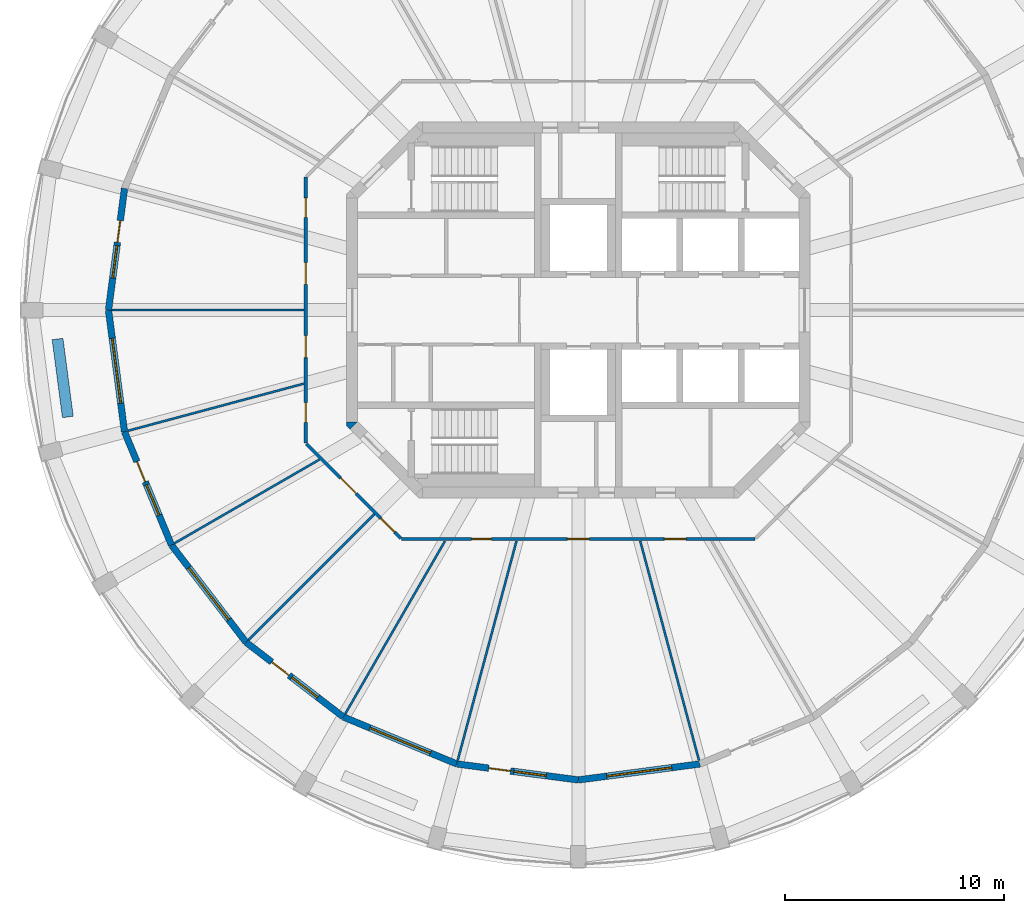
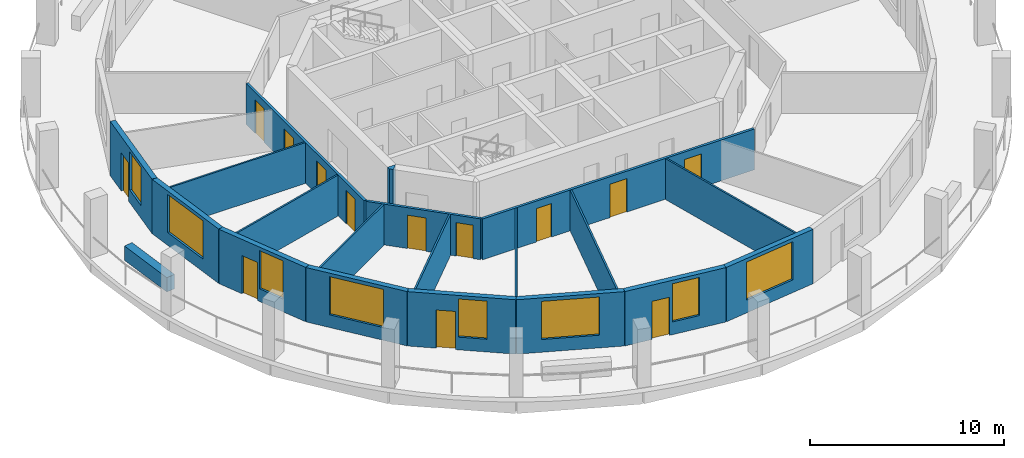
# One storey, part 2 of 8: 20 walls, 13 doors, 8 windows, 21 openings.
"""IFC4 building model written with IfcOpenShell, lengths in metres."""

from ifc_helpers import new_model, si_unit, direction, frame, frame_2d, origin, place, context, subcontext, project, spatial, polyline, rectangle, outline, extrude, material, layer, layer_set, type_object, element, fill, save


model = new_model("IFC4")

# Units and contexts
model_context = context("Model", 3, precision=1e-05, world=origin(), true_north=direction((0.0, 1.0)))
body_context = subcontext(model_context, "Body", "Model", "MODEL_VIEW")
ifc_project = project(units=[si_unit("LENGTHUNIT", "METRE"), si_unit("AREAUNIT", "SQUARE_METRE"), si_unit("VOLUMEUNIT", "CUBIC_METRE"), si_unit("PLANEANGLEUNIT", "RADIAN"), si_unit("MASSUNIT", "GRAM", prefix="KILO")], contexts=[model_context])

# Site, building, storey
site_placement = place(None, origin())
site = spatial("IfcSite", under=ifc_project, at=site_placement, CompositionType="ELEMENT")
building_placement = place(site_placement, origin())
building = spatial("IfcBuilding", under=site, at=building_placement, Name="Torre Triforio", CompositionType="ELEMENT")
storey_placement = place(building_placement, frame((0.0, 0.0, 283.39990234375)))
storey = spatial("IfcBuildingStorey", under=building, at=storey_placement, Name="L65", CompositionType="ELEMENT", Elevation=283.39990234375)

# Wall
ifc_material_1 = material(Name="Concrete C40", Category="concrete")
ifc_layer_1 = layer(ifc_material_1, 0.5)
ifc_layer_set_1 = layer_set([ifc_layer_1], Name="Concrete C40")
wall_type_1 = type_object("IfcWallType", Name="Core wall 500 mm C40 EI 120", PredefinedType="SHEAR", material=ifc_layer_set_1)
wall_1_placement = place(storey_placement, frame((0.0, 0.0, -0.27978515625)))
element("IfcWall", 1, at=wall_1_placement, inside=storey, type_object=wall_type_1, Name="Core wall", PredefinedType="SHEAR", context=body_context, shape_type="SweptSolid", body=[
    extrude(outline(polyline([(-10.60009765625, -5.30712890625), (-10.60009765625, -5.1298828125), (-10.1298828125, -5.1298828125), (-10.45361328125, -5.45361328125), (-10.60009765625, -5.30712890625)])), origin(), (0.0, 0.0, 1.0), 3.699951171875),
])

# Wall, openings, doors
ifc_material_2 = material(Name="Plasterboard on metal studs")
ifc_layer_2 = layer(ifc_material_2, 0.14990234375)
ifc_layer_set_2 = layer_set([ifc_layer_2], Name="Plasterboard on metal studs")
wall_type_2 = type_object("IfcWallType", Name="Corridor and tenancy wall 150 mm EI 60", PredefinedType="PARTITIONING", material=ifc_layer_set_2)
wall_2_placement = place(storey_placement, frame((8.083740234375, -10.47509765625, 0.0), z_axis=(0.0, 0.0, 1.0), x_axis=(-1.0, 0.0, 0.0)))
wall_2 = element("IfcWall", 2, at=wall_2_placement, inside=storey, type_object=wall_type_2, Name="Partition 2", PredefinedType="PARTITIONING", context=body_context, shape_type="SweptSolid", body=[
    extrude(rectangle(XDim=16.16748046875, YDim=0.14990234375, at=frame_2d((8.083740234375, 0.0))), origin(), (0.0, 0.0, 1.0), 2.570068359375),
])
opening_1_placement = place(wall_2_placement, frame((12.06494140625, 0.0, 0.0)))
opening_1 = element("IfcOpeningElement", 3, at=opening_1_placement, cuts=wall_2, Name="Opening X1-15", PredefinedType="OPENING", context=body_context, shape_type="SweptSolid", body=[
    extrude(rectangle(XDim=0.89990234375, YDim=2.10009765625, at=frame_2d((0.449951171875, 1.050048828125))), frame((0.0, 0.0849609375, 0.0), z_axis=(0.0, -1.0, 0.0), x_axis=(1.0, 0.0, 0.0)), (0.0, 0.0, 1.0), 0.169921875),
])
opening_2_placement = place(wall_2_placement, frame((7.583740234375, 0.0, 0.0)))
opening_2 = element("IfcOpeningElement", 4, at=opening_2_placement, cuts=wall_2, Name="Opening X1-16", PredefinedType="OPENING", context=body_context, shape_type="SweptSolid", body=[
    extrude(rectangle(XDim=1.0, YDim=2.10009765625, at=frame_2d((0.5, 1.050048828125))), frame((0.0, 0.0849609375, 0.0), z_axis=(0.0, -1.0, 0.0), x_axis=(1.0, 0.0, 0.0)), (0.0, 0.0, 1.0), 0.169921875),
])
opening_3_placement = place(wall_2_placement, frame((3.152587890625, 0.0, 0.0)))
opening_3 = element("IfcOpeningElement", 5, at=opening_3_placement, cuts=wall_2, Name="Opening X1-17", PredefinedType="OPENING", context=body_context, shape_type="SweptSolid", body=[
    extrude(rectangle(XDim=1.0, YDim=2.10009765625, at=frame_2d((0.5, 1.050048828125))), frame((0.0, 0.0849609375, 0.0), z_axis=(0.0, -1.0, 0.0), x_axis=(1.0, 0.0, 0.0)), (0.0, 0.0, 1.0), 0.169921875),
])
ifc_material_3 = material(Name="Timber", Category="wood")
door_type_1 = type_object("IfcDoorType", Name="Door 1000 x 2100 single leaf EI 30", OperationType="NOTDEFINED", PredefinedType="DOOR", material=ifc_material_3)
door_1_placement = place(opening_2_placement, origin())
door_1 = element("IfcDoor", 6, at=door_1_placement, inside=storey, type_object=door_type_1, Name="Door X1-16", OperationType="SINGLE_SWING_LEFT", OverallHeight=2.10009765625, OverallWidth=1.0, PredefinedType="DOOR", context=body_context, shape_type="SweptSolid", body=[
    extrude(rectangle(XDim=1.0, YDim=2.10009765625, at=frame_2d((0.5, 1.050048828125))), frame((0.0, 0.02490234375, 0.0), z_axis=(0.0, -1.0, 0.0), x_axis=(1.0, 0.0, 0.0)), (0.0, 0.0, 1.0), 0.050048828125),
])
fill(opening_2, door_1)
door_2_placement = place(opening_3_placement, origin())
door_2 = element("IfcDoor", 7, at=door_2_placement, inside=storey, type_object=door_type_1, Name="Door X1-17", OperationType="SINGLE_SWING_LEFT", OverallHeight=2.10009765625, OverallWidth=1.0, PredefinedType="DOOR", context=body_context, shape_type="SweptSolid", body=[
    extrude(rectangle(XDim=1.0, YDim=2.10009765625, at=frame_2d((0.5, 1.050048828125))), frame((0.0, 0.02490234375, 0.0), z_axis=(0.0, -1.0, 0.0), x_axis=(1.0, 0.0, 0.0)), (0.0, 0.0, 1.0), 0.050048828125),
])
fill(opening_3, door_2)
door_type_2 = type_object("IfcDoorType", Name="Door 900 x 2100 single leaf EI 30", OperationType="NOTDEFINED", PredefinedType="DOOR", material=ifc_material_3)
door_3_placement = place(opening_1_placement, origin())
door_3 = element("IfcDoor", 8, at=door_3_placement, inside=storey, type_object=door_type_2, Name="Door X1-15", OperationType="SINGLE_SWING_RIGHT", OverallHeight=2.10009765625, OverallWidth=0.89990234375, PredefinedType="DOOR", context=body_context, shape_type="SweptSolid", body=[
    extrude(rectangle(XDim=0.89990234375, YDim=2.10009765625, at=frame_2d((0.449951171875, 1.050048828125))), frame((0.0, 0.02490234375, 0.0), z_axis=(0.0, -1.0, 0.0), x_axis=(1.0, 0.0, 0.0)), (0.0, 0.0, 1.0), 0.050048828125),
])
fill(opening_1, door_3)

wall_3_placement = place(storey_placement, frame((-8.120849609375, -10.43798828125, 0.0), z_axis=(0.0, 0.0, 1.0), x_axis=(-0.707106781187, 0.707106781187, 0.0)))
wall_3 = element("IfcWall", 9, at=wall_3_placement, inside=storey, type_object=wall_type_2, Name="Partition 3", PredefinedType="PARTITIONING", context=body_context, shape_type="SweptSolid", body=[
    extrude(rectangle(XDim=6.10546875, YDim=0.14990234375, at=frame_2d((3.052734375, 0.0))), origin(), (0.0, 0.0, 1.0), 2.570068359375),
])
opening_4_placement = place(wall_3_placement, frame((2.8974609375, 0.0, 0.0)))
opening_4 = element("IfcOpeningElement", 10, at=opening_4_placement, cuts=wall_3, Name="Opening X1-13", PredefinedType="OPENING", context=body_context, shape_type="SweptSolid", body=[
    extrude(rectangle(XDim=1.0, YDim=2.10009765625, at=frame_2d((0.5, 1.050048828125))), frame((0.0, 0.0849609375, 0.0), z_axis=(0.0, -1.0, 0.0), x_axis=(1.0, 0.0, 0.0)), (0.0, 0.0, 1.0), 0.169921875),
])
opening_5_placement = place(wall_3_placement, frame((0.394287109375, 0.0, 0.0)))
opening_5 = element("IfcOpeningElement", 11, at=opening_5_placement, cuts=wall_3, Name="Opening X1-14", PredefinedType="OPENING", context=body_context, shape_type="SweptSolid", body=[
    extrude(rectangle(XDim=0.89990234375, YDim=2.10009765625, at=frame_2d((0.449951171875, 1.050048828125))), frame((0.0, 0.0849609375, 0.0), z_axis=(0.0, -1.0, 0.0), x_axis=(1.0, 0.0, 0.0)), (0.0, 0.0, 1.0), 0.169921875),
])
door_4_placement = place(opening_4_placement, origin())
door_4 = element("IfcDoor", 12, at=door_4_placement, inside=storey, type_object=door_type_1, Name="Door X1-13", OperationType="SINGLE_SWING_LEFT", OverallHeight=2.10009765625, OverallWidth=1.0, PredefinedType="DOOR", context=body_context, shape_type="SweptSolid", body=[
    extrude(rectangle(XDim=1.0, YDim=2.10009765625, at=frame_2d((0.5, 1.050048828125))), frame((0.0, 0.02490234375, 0.0), z_axis=(0.0, -1.0, 0.0), x_axis=(1.0, 0.0, 0.0)), (0.0, 0.0, 1.0), 0.050048828125),
])
fill(opening_4, door_4)
door_5_placement = place(opening_5_placement, origin())
door_5 = element("IfcDoor", 13, at=door_5_placement, inside=storey, type_object=door_type_2, Name="Door X1-14", OperationType="SINGLE_SWING_LEFT", OverallHeight=2.10009765625, OverallWidth=0.89990234375, PredefinedType="DOOR", context=body_context, shape_type="SweptSolid", body=[
    extrude(rectangle(XDim=0.89990234375, YDim=2.10009765625, at=frame_2d((0.449951171875, 1.050048828125))), frame((0.0, 0.02490234375, 0.0), z_axis=(0.0, -1.0, 0.0), x_axis=(1.0, 0.0, 0.0)), (0.0, 0.0, 1.0), 0.050048828125),
])
fill(opening_5, door_5)

wall_4_placement = place(storey_placement, frame((-12.47509765625, -6.083740234375, 0.0), z_axis=(0.0, 0.0, 1.0), x_axis=(0.0, 1.0, 0.0)))
wall_4 = element("IfcWall", 14, at=wall_4_placement, inside=storey, type_object=wall_type_2, Name="Partition 4", PredefinedType="PARTITIONING", context=body_context, shape_type="SweptSolid", body=[
    extrude(rectangle(XDim=12.16748046875, YDim=0.14990234375, at=frame_2d((6.083740234375, 0.0))), origin(), (0.0, 0.0, 1.0), 2.570068359375),
])
opening_6_placement = place(wall_4_placement, frame((10.322021484375, 0.0, 0.0)))
opening_6 = element("IfcOpeningElement", 15, at=opening_6_placement, cuts=wall_4, Name="Opening X1-09", PredefinedType="OPENING", context=body_context, shape_type="SweptSolid", body=[
    extrude(rectangle(XDim=0.89990234375, YDim=2.10009765625, at=frame_2d((0.449951171875, 1.050048828125))), frame((0.0, 0.0849609375, 0.0), z_axis=(0.0, -1.0, 0.0), x_axis=(1.0, 0.0, 0.0)), (0.0, 0.0, 1.0), 0.169921875),
])
opening_7_placement = place(wall_4_placement, frame((7.256103515625, 0.0, 0.0)))
opening_7 = element("IfcOpeningElement", 16, at=opening_7_placement, cuts=wall_4, Name="Opening X1-10", PredefinedType="OPENING", context=body_context, shape_type="SweptSolid", body=[
    extrude(rectangle(XDim=1.0, YDim=2.10009765625, at=frame_2d((0.5, 1.050048828125))), frame((0.0, 0.0849609375, 0.0), z_axis=(0.0, -1.0, 0.0), x_axis=(1.0, 0.0, 0.0)), (0.0, 0.0, 1.0), 0.169921875),
])
opening_8_placement = place(wall_4_placement, frame((3.91162109375, 0.0, 0.0)))
opening_8 = element("IfcOpeningElement", 17, at=opening_8_placement, cuts=wall_4, Name="Opening X1-11", PredefinedType="OPENING", context=body_context, shape_type="SweptSolid", body=[
    extrude(rectangle(XDim=1.0, YDim=2.10009765625, at=frame_2d((0.5, 1.050048828125))), frame((0.0, 0.0849609375, 0.0), z_axis=(0.0, -1.0, 0.0), x_axis=(1.0, 0.0, 0.0)), (0.0, 0.0, 1.0), 0.169921875),
])
opening_9_placement = place(wall_4_placement, frame((0.945556640625, 0.0, 0.0)))
opening_9 = element("IfcOpeningElement", 18, at=opening_9_placement, cuts=wall_4, Name="Opening X1-12", PredefinedType="OPENING", context=body_context, shape_type="SweptSolid", body=[
    extrude(rectangle(XDim=0.89990234375, YDim=2.10009765625, at=frame_2d((0.449951171875, 1.050048828125))), frame((0.0, 0.0849609375, 0.0), z_axis=(0.0, -1.0, 0.0), x_axis=(1.0, 0.0, 0.0)), (0.0, 0.0, 1.0), 0.169921875),
])
door_6_placement = place(opening_7_placement, origin())
door_6 = element("IfcDoor", 19, at=door_6_placement, inside=storey, type_object=door_type_1, Name="Door X1-10", OperationType="SINGLE_SWING_RIGHT", OverallHeight=2.10009765625, OverallWidth=1.0, PredefinedType="DOOR", context=body_context, shape_type="SweptSolid", body=[
    extrude(rectangle(XDim=1.0, YDim=2.10009765625, at=frame_2d((0.5, 1.050048828125))), frame((0.0, 0.02490234375, 0.0), z_axis=(0.0, -1.0, 0.0), x_axis=(1.0, 0.0, 0.0)), (0.0, 0.0, 1.0), 0.050048828125),
])
fill(opening_7, door_6)
door_7_placement = place(opening_8_placement, origin())
door_7 = element("IfcDoor", 20, at=door_7_placement, inside=storey, type_object=door_type_1, Name="Door X1-11", OperationType="SINGLE_SWING_LEFT", OverallHeight=2.10009765625, OverallWidth=1.0, PredefinedType="DOOR", context=body_context, shape_type="SweptSolid", body=[
    extrude(rectangle(XDim=1.0, YDim=2.10009765625, at=frame_2d((0.5, 1.050048828125))), frame((0.0, 0.02490234375, 0.0), z_axis=(0.0, -1.0, 0.0), x_axis=(1.0, 0.0, 0.0)), (0.0, 0.0, 1.0), 0.050048828125),
])
fill(opening_8, door_7)
door_8_placement = place(opening_6_placement, origin())
door_8 = element("IfcDoor", 21, at=door_8_placement, inside=storey, type_object=door_type_2, Name="Door X1-09", OperationType="SINGLE_SWING_LEFT", OverallHeight=2.10009765625, OverallWidth=0.89990234375, PredefinedType="DOOR", context=body_context, shape_type="SweptSolid", body=[
    extrude(rectangle(XDim=0.89990234375, YDim=2.10009765625, at=frame_2d((0.449951171875, 1.050048828125))), frame((0.0, 0.02490234375, 0.0), z_axis=(0.0, -1.0, 0.0), x_axis=(1.0, 0.0, 0.0)), (0.0, 0.0, 1.0), 0.050048828125),
])
fill(opening_6, door_8)
door_9_placement = place(opening_9_placement, origin())
door_9 = element("IfcDoor", 22, at=door_9_placement, inside=storey, type_object=door_type_2, Name="Door X1-12", OperationType="SINGLE_SWING_LEFT", OverallHeight=2.10009765625, OverallWidth=0.89990234375, PredefinedType="DOOR", context=body_context, shape_type="SweptSolid", body=[
    extrude(rectangle(XDim=0.89990234375, YDim=2.10009765625, at=frame_2d((0.449951171875, 1.050048828125))), frame((0.0, 0.02490234375, 0.0), z_axis=(0.0, -1.0, 0.0), x_axis=(1.0, 0.0, 0.0)), (0.0, 0.0, 1.0), 0.050048828125),
])
fill(opening_9, door_9)

# Walls
ifc_layer_3 = layer(ifc_material_2, 0.10009765625)
ifc_layer_set_3 = layer_set([ifc_layer_3], Name="Plasterboard on metal studs")
wall_type_3 = type_object("IfcWallType", Name="Partition 100 mm board on metal studs", PredefinedType="PARTITIONING", material=ifc_layer_set_3)
wall_5_placement = place(storey_placement, frame((-12.550048828125, 0.0, 0.0), z_axis=(0.0, 0.0, 1.0), x_axis=(-1.0, 0.0, 0.0)))
element("IfcWall", 23, at=wall_5_placement, inside=storey, type_object=wall_type_3, Name="Partition 17", PredefinedType="PARTITIONING", context=body_context, shape_type="SweptSolid", body=[
    extrude(rectangle(XDim=8.78662109375, YDim=0.10009765625, at=frame_2d((4.393310546875, 0.0))), origin(), (0.0, 0.0, 1.0), 2.570068359375),
])
wall_6_placement = place(storey_placement, frame((-12.564208984375, -3.36669921875, 0.0), z_axis=(0.0, 0.0, 1.0), x_axis=(-0.965933136847, -0.258791760188, 0.0)))
element("IfcWall", 24, at=wall_6_placement, inside=storey, type_object=wall_type_3, Name="Partition 18", PredefinedType="PARTITIONING", context=body_context, shape_type="SweptSolid", body=[
    extrude(rectangle(XDim=8.3291015625, YDim=0.10009765625, at=frame_2d((4.16455078125, 0.0))), origin(), (0.0, 0.0, 1.0), 2.570068359375),
])
wall_7_placement = place(storey_placement, frame((-11.845947265625, -6.839111328125, 0.0), z_axis=(0.0, 0.0, 1.0), x_axis=(-0.866007734672, -0.500030602552, 0.0)))
element("IfcWall", 25, at=wall_7_placement, inside=storey, type_object=wall_type_3, Name="Partition 19", PredefinedType="PARTITIONING", context=body_context, shape_type="SweptSolid", body=[
    extrude(rectangle(XDim=7.658203125, YDim=0.10009765625, at=frame_2d((3.8291015625, 0.0))), origin(), (0.0, 0.0, 1.0), 2.570068359375),
])
wall_8_placement = place(storey_placement, frame((-9.33251953125, -9.33251953125, 0.0), z_axis=(0.0, 0.0, 1.0), x_axis=(-0.707106781187, -0.707106781187, 0.0)))
element("IfcWall", 26, at=wall_8_placement, inside=storey, type_object=wall_type_3, Name="Partition 20", PredefinedType="PARTITIONING", context=body_context, shape_type="SweptSolid", body=[
    extrude(rectangle(XDim=8.138671875, YDim=0.10009765625, at=frame_2d((4.0693359375, 0.0))), origin(), (0.0, 0.0, 1.0), 2.570068359375),
])
wall_9_placement = place(storey_placement, frame((-6.105224609375, -10.57470703125, 0.0), z_axis=(0.0, 0.0, 1.0), x_axis=(-0.500020406621, -0.866013621696, 0.0)))
element("IfcWall", 27, at=wall_9_placement, inside=storey, type_object=wall_type_3, Name="Partition 21", PredefinedType="PARTITIONING", context=body_context, shape_type="SweptSolid", body=[
    extrude(rectangle(XDim=9.1259765625, YDim=0.10009765625, at=frame_2d((4.56298828125, 0.0))), origin(), (0.0, 0.0, 1.0), 2.570068359375),
])
for number, where, z_axis, x_axis, name in (
    (28, (-2.830810546875, -10.564208984375, 0.0), (0.0, 0.0, 1.0), (-0.258796321138, -0.965931914871, 0.0), "Partition 22"),
    (29, (2.830810546875, -10.564208984375, 0.0), (0.0, 0.0, 1.0), (0.258796321138, -0.965931914871, 0.0), "Partition 23"),
):
    element("IfcWall", number, at=place(storey_placement, frame(where, z_axis=z_axis, x_axis=x_axis)), inside=storey, type_object=wall_type_3, Name=name, PredefinedType="PARTITIONING", context=body_context, shape_type="SweptSolid", body=[
        extrude(rectangle(XDim=10.399658203125, YDim=0.10009765625, at=frame_2d((5.19970703125, 0.0))), origin(), (0.0, 0.0, 1.0), 2.570068359375),
    ])
ifc_material_4 = material(Name="Limestone cladding", Category="masonry")
ifc_layer_4 = layer(ifc_material_4, 0.10009765625)
ifc_layer_5 = layer(ifc_material_1, 0.39990234375)
ifc_layer_set_4 = layer_set([ifc_layer_4, ifc_layer_5], Name="Limestone cladding / Concrete C40")
wall_type_4 = type_object("IfcWallType", Name="Planter wall 500", PredefinedType="PARAPET", material=ifc_layer_set_4)
wall_10_placement = place(storey_placement, frame((-23.831298828125, -1.322021484375, 0.0), z_axis=(0.0, 0.0, 1.0), x_axis=(0.130551000099, -0.991441595039, 0.0)))
element("IfcWall", 30, at=wall_10_placement, inside=storey, type_object=wall_type_4, Name="Planter L65 bay 13", PredefinedType="PARAPET", context=body_context, shape_type="SweptSolid", body=[
    extrude(rectangle(XDim=3.599853515625, YDim=0.5, at=frame_2d((1.7998046875, 0.0))), origin(), (0.0, 0.0, 1.0), 0.900146484375),
])

# Wall, openings, door, window
ifc_layer_6 = layer(ifc_material_4, 0.10009765625)
ifc_layer_7 = layer(ifc_material_1, 0.199951171875)
ifc_layer_set_5 = layer_set([ifc_layer_6, ifc_layer_7], Name="Limestone cladding / Concrete C40")
wall_type_5 = type_object("IfcWallType", Name="Stone-faced composite wall 300", PredefinedType="STANDARD", material=ifc_layer_set_5)
wall_11_placement = place(storey_placement, frame((-20.767333984375, 5.564697265625, 0.0), z_axis=(0.0, 0.0, 1.0), x_axis=(-0.130536651449, -0.991443484334, 0.0)))
wall_11 = element("IfcWall", 31, at=wall_11_placement, inside=storey, type_object=wall_type_5, Name="External wall L65 bay 12", PredefinedType="STANDARD", context=body_context, shape_type="SweptSolid", body=[
    extrude(rectangle(XDim=5.61279296875, YDim=0.300048828125, at=frame_2d((2.806396484375, 0.0))), origin(), (0.0, 0.0, 1.0), 3.420166015625),
])
opening_10_placement = place(wall_11_placement, frame((1.481201171875, 0.0, 0.0)))
opening_10 = element("IfcOpeningElement", 32, at=opening_10_placement, cuts=wall_11, Name="Opening X1-D12", PredefinedType="OPENING", context=body_context, shape_type="SweptSolid", body=[
    extrude(rectangle(XDim=1.0, YDim=2.39990234375, at=frame_2d((0.5, 1.199951171875))), frame((0.0, 0.159912109375, 0.0), z_axis=(0.0, -1.0, 0.0), x_axis=(1.0, 0.0, 0.0)), (0.0, 0.0, 1.0), 0.320068359375),
])
opening_11_placement = place(wall_11_placement, frame((2.63134765625, 0.0, 0.800048828125)))
opening_11 = element("IfcOpeningElement", 33, at=opening_11_placement, cuts=wall_11, Name="Opening X1-W12A", PredefinedType="OPENING", context=body_context, shape_type="SweptSolid", body=[
    extrude(rectangle(XDim=1.5, YDim=2.39990234375, at=frame_2d((0.75, 1.199951171875))), frame((0.0, 0.159912109375, 0.0), z_axis=(0.0, -1.0, 0.0), x_axis=(1.0, 0.0, 0.0)), (0.0, 0.0, 1.0), 0.320068359375),
])
ifc_material_5 = material(Name="Aluminium frame with clear double glazing", Category="aluminium")
door_type_3 = type_object("IfcDoorType", Name="Loggia door 1000 x 2400", OperationType="NOTDEFINED", PredefinedType="DOOR", material=ifc_material_5)
door_10_placement = place(opening_10_placement, origin())
door_10 = element("IfcDoor", 34, at=door_10_placement, inside=storey, type_object=door_type_3, Name="Loggia door L65 bay 12", OperationType="SINGLE_SWING_LEFT", OverallHeight=2.39990234375, OverallWidth=1.0, PredefinedType="DOOR", context=body_context, shape_type="SweptSolid", body=[
    extrude(rectangle(XDim=1.0, YDim=2.39990234375, at=frame_2d((0.5, 1.199951171875))), frame((0.0, 0.02490234375, 0.0), z_axis=(0.0, -1.0, 0.0), x_axis=(1.0, 0.0, 0.0)), (0.0, 0.0, 1.0), 0.050048828125),
])
fill(opening_10, door_10)
window_type_1 = type_object("IfcWindowType", Name="Side window 1500 x 2400", PartitioningType="SINGLE_PANEL", PredefinedType="WINDOW", material=ifc_material_5)
window_1_placement = place(opening_11_placement, origin())
window_1 = element("IfcWindow", 35, at=window_1_placement, inside=storey, type_object=window_type_1, Name="Side window EWN14 L65 bay 12", OverallHeight=2.39990234375, OverallWidth=1.5, PartitioningType="SINGLE_PANEL", PredefinedType="WINDOW", context=body_context, shape_type="SweptSolid", body=[
    extrude(rectangle(XDim=1.5, YDim=2.39990234375, at=frame_2d((0.75, 1.199951171875))), frame((0.0, 0.030029296875, 0.0), z_axis=(0.0, -1.0, 0.0), x_axis=(1.0, 0.0, 0.0)), (0.0, 0.0, 1.0), 0.06005859375),
])
fill(opening_11, window_1)

# Wall, opening, window
wall_12_placement = place(storey_placement, frame((-21.5, 0.0, 0.0), z_axis=(0.0, 0.0, 1.0), x_axis=(0.130536651449, -0.991443484334, 0.0)))
wall_12 = element("IfcWall", 36, at=wall_12_placement, inside=storey, type_object=wall_type_5, Name="External wall L65 bay 13", PredefinedType="STANDARD", context=body_context, shape_type="SweptSolid", body=[
    extrude(rectangle(XDim=5.61279296875, YDim=0.300048828125, at=frame_2d((2.806396484375, 0.0))), origin(), (0.0, 0.0, 1.0), 3.420166015625),
])
opening_12_placement = place(wall_12_placement, frame((1.306396484375, 0.0, 0.800048828125)))
opening_12 = element("IfcOpeningElement", 37, at=opening_12_placement, cuts=wall_12, Name="Opening X1-W13", PredefinedType="OPENING", context=body_context, shape_type="SweptSolid", body=[
    extrude(rectangle(XDim=3.0, YDim=2.39990234375, at=frame_2d((1.5, 1.199951171875))), frame((0.0, 0.159912109375, 0.0), z_axis=(0.0, -1.0, 0.0), x_axis=(1.0, 0.0, 0.0)), (0.0, 0.0, 1.0), 0.320068359375),
])
window_type_2 = type_object("IfcWindowType", Name="Punched window 3000 x 2400", PartitioningType="DOUBLE_PANEL_VERTICAL", PredefinedType="WINDOW", material=ifc_material_5)
window_2_placement = place(opening_12_placement, origin())
window_2 = element("IfcWindow", 38, at=window_2_placement, inside=storey, type_object=window_type_2, Name="Window EWN6 L65 bay 13", OverallHeight=2.39990234375, OverallWidth=3.0, PartitioningType="SINGLE_PANEL", PredefinedType="WINDOW", context=body_context, shape_type="SweptSolid", body=[
    extrude(rectangle(XDim=3.0, YDim=2.39990234375, at=frame_2d((1.5, 1.199951171875))), frame((0.0, 0.030029296875, 0.0), z_axis=(0.0, -1.0, 0.0), x_axis=(1.0, 0.0, 0.0)), (0.0, 0.0, 1.0), 0.06005859375),
])
fill(opening_12, window_2)

# Wall, openings, door, window
wall_13_placement = place(storey_placement, frame((-20.767333984375, -5.564697265625, 0.0), z_axis=(0.0, 0.0, 1.0), x_axis=(0.382702670405, -0.92387156362, 0.0)))
wall_13 = element("IfcWall", 39, at=wall_13_placement, inside=storey, type_object=wall_type_5, Name="External wall L65 bay 14", PredefinedType="STANDARD", context=body_context, shape_type="SweptSolid", body=[
    extrude(rectangle(XDim=5.612548828125, YDim=0.300048828125, at=frame_2d((2.80615234375, 0.0))), origin(), (0.0, 0.0, 1.0), 3.420166015625),
])
opening_13_placement = place(wall_13_placement, frame((1.481201171875, 0.0, 0.0)))
opening_13 = element("IfcOpeningElement", 40, at=opening_13_placement, cuts=wall_13, Name="Opening X1-D14", PredefinedType="OPENING", context=body_context, shape_type="SweptSolid", body=[
    extrude(rectangle(XDim=1.0, YDim=2.39990234375, at=frame_2d((0.5, 1.199951171875))), frame((0.0, 0.159912109375, 0.0), z_axis=(0.0, -1.0, 0.0), x_axis=(1.0, 0.0, 0.0)), (0.0, 0.0, 1.0), 0.320068359375),
])
opening_14_placement = place(wall_13_placement, frame((2.63134765625, 0.0, 0.800048828125)))
opening_14 = element("IfcOpeningElement", 41, at=opening_14_placement, cuts=wall_13, Name="Opening X1-W14A", PredefinedType="OPENING", context=body_context, shape_type="SweptSolid", body=[
    extrude(rectangle(XDim=1.5, YDim=2.39990234375, at=frame_2d((0.75, 1.199951171875))), frame((0.0, 0.159912109375, 0.0), z_axis=(0.0, -1.0, 0.0), x_axis=(1.0, 0.0, 0.0)), (0.0, 0.0, 1.0), 0.320068359375),
])
door_11_placement = place(opening_13_placement, origin())
door_11 = element("IfcDoor", 42, at=door_11_placement, inside=storey, type_object=door_type_3, Name="Loggia door L65 bay 14", OperationType="SINGLE_SWING_LEFT", OverallHeight=2.39990234375, OverallWidth=1.0, PredefinedType="DOOR", context=body_context, shape_type="SweptSolid", body=[
    extrude(rectangle(XDim=1.0, YDim=2.39990234375, at=frame_2d((0.5, 1.199951171875))), frame((0.0, 0.02490234375, 0.0), z_axis=(0.0, -1.0, 0.0), x_axis=(1.0, 0.0, 0.0)), (0.0, 0.0, 1.0), 0.050048828125),
])
fill(opening_13, door_11)
window_3_placement = place(opening_14_placement, origin())
window_3 = element("IfcWindow", 43, at=window_3_placement, inside=storey, type_object=window_type_1, Name="Side window EWN14 L65 bay 14", OverallHeight=2.39990234375, OverallWidth=1.5, PartitioningType="SINGLE_PANEL", PredefinedType="WINDOW", context=body_context, shape_type="SweptSolid", body=[
    extrude(rectangle(XDim=1.5, YDim=2.39990234375, at=frame_2d((0.75, 1.199951171875))), frame((0.0, 0.030029296875, 0.0), z_axis=(0.0, -1.0, 0.0), x_axis=(1.0, 0.0, 0.0)), (0.0, 0.0, 1.0), 0.06005859375),
])
fill(opening_14, window_3)

# Wall, opening, window
wall_14_placement = place(storey_placement, frame((-18.619384765625, -10.75, 0.0), z_axis=(0.0, 0.0, 1.0), x_axis=(0.608726467567, -0.793380165925, 0.0)))
wall_14 = element("IfcWall", 44, at=wall_14_placement, inside=storey, type_object=wall_type_5, Name="External wall L65 bay 15", PredefinedType="STANDARD", context=body_context, shape_type="SweptSolid", body=[
    extrude(rectangle(XDim=5.612548828125, YDim=0.300048828125, at=frame_2d((2.80615234375, 0.0))), origin(), (0.0, 0.0, 1.0), 3.420166015625),
])
opening_15_placement = place(wall_14_placement, frame((1.306396484375, 0.0, 0.800048828125)))
opening_15 = element("IfcOpeningElement", 45, at=opening_15_placement, cuts=wall_14, Name="Opening X1-W15", PredefinedType="OPENING", context=body_context, shape_type="SweptSolid", body=[
    extrude(rectangle(XDim=3.0, YDim=2.39990234375, at=frame_2d((1.5, 1.199951171875))), frame((0.0, 0.159912109375, 0.0), z_axis=(0.0, -1.0, 0.0), x_axis=(1.0, 0.0, 0.0)), (0.0, 0.0, 1.0), 0.320068359375),
])
window_4_placement = place(opening_15_placement, origin())
window_4 = element("IfcWindow", 46, at=window_4_placement, inside=storey, type_object=window_type_2, Name="Window EWN6 L65 bay 15", OverallHeight=2.39990234375, OverallWidth=3.0, PartitioningType="SINGLE_PANEL", PredefinedType="WINDOW", context=body_context, shape_type="SweptSolid", body=[
    extrude(rectangle(XDim=3.0, YDim=2.39990234375, at=frame_2d((1.5, 1.199951171875))), frame((0.0, 0.030029296875, 0.0), z_axis=(0.0, -1.0, 0.0), x_axis=(1.0, 0.0, 0.0)), (0.0, 0.0, 1.0), 0.06005859375),
])
fill(opening_15, window_4)

# Wall, openings, door, window
wall_15_placement = place(storey_placement, frame((-15.202880859375, -15.202880859375, 0.0), z_axis=(0.0, 0.0, 1.0), x_axis=(0.793380165925, -0.608726467567, 0.0)))
wall_15 = element("IfcWall", 47, at=wall_15_placement, inside=storey, type_object=wall_type_5, Name="External wall L65 bay 16", PredefinedType="STANDARD", context=body_context, shape_type="SweptSolid", body=[
    extrude(rectangle(XDim=5.612548828125, YDim=0.300048828125, at=frame_2d((2.80615234375, 0.0))), origin(), (0.0, 0.0, 1.0), 3.420166015625),
])
opening_16_placement = place(wall_15_placement, frame((1.481201171875, 0.0, 0.0)))
opening_16 = element("IfcOpeningElement", 48, at=opening_16_placement, cuts=wall_15, Name="Opening X1-D16", PredefinedType="OPENING", context=body_context, shape_type="SweptSolid", body=[
    extrude(rectangle(XDim=1.0, YDim=2.39990234375, at=frame_2d((0.5, 1.199951171875))), frame((0.0, 0.159912109375, 0.0), z_axis=(0.0, -1.0, 0.0), x_axis=(1.0, 0.0, 0.0)), (0.0, 0.0, 1.0), 0.320068359375),
])
opening_17_placement = place(wall_15_placement, frame((2.63134765625, 0.0, 0.800048828125)))
opening_17 = element("IfcOpeningElement", 49, at=opening_17_placement, cuts=wall_15, Name="Opening X1-W16A", PredefinedType="OPENING", context=body_context, shape_type="SweptSolid", body=[
    extrude(rectangle(XDim=1.5, YDim=2.39990234375, at=frame_2d((0.75, 1.199951171875))), frame((0.0, 0.159912109375, 0.0), z_axis=(0.0, -1.0, 0.0), x_axis=(1.0, 0.0, 0.0)), (0.0, 0.0, 1.0), 0.320068359375),
])
door_12_placement = place(opening_16_placement, origin())
door_12 = element("IfcDoor", 50, at=door_12_placement, inside=storey, type_object=door_type_3, Name="Loggia door L65 bay 16", OperationType="SINGLE_SWING_LEFT", OverallHeight=2.39990234375, OverallWidth=1.0, PredefinedType="DOOR", context=body_context, shape_type="SweptSolid", body=[
    extrude(rectangle(XDim=1.0, YDim=2.39990234375, at=frame_2d((0.5, 1.199951171875))), frame((0.0, 0.02490234375, 0.0), z_axis=(0.0, -1.0, 0.0), x_axis=(1.0, 0.0, 0.0)), (0.0, 0.0, 1.0), 0.050048828125),
])
fill(opening_16, door_12)
window_5_placement = place(opening_17_placement, origin())
window_5 = element("IfcWindow", 51, at=window_5_placement, inside=storey, type_object=window_type_1, Name="Side window EWN14 L65 bay 16", OverallHeight=2.39990234375, OverallWidth=1.5, PartitioningType="SINGLE_PANEL", PredefinedType="WINDOW", context=body_context, shape_type="SweptSolid", body=[
    extrude(rectangle(XDim=1.5, YDim=2.39990234375, at=frame_2d((0.75, 1.199951171875))), frame((0.0, 0.030029296875, 0.0), z_axis=(0.0, -1.0, 0.0), x_axis=(1.0, 0.0, 0.0)), (0.0, 0.0, 1.0), 0.06005859375),
])
fill(opening_17, window_5)

# Wall, opening, window
wall_16_placement = place(storey_placement, frame((-10.75, -18.619384765625, 0.0), z_axis=(0.0, 0.0, 1.0), x_axis=(0.92387156362, -0.382702670405, 0.0)))
wall_16 = element("IfcWall", 52, at=wall_16_placement, inside=storey, type_object=wall_type_5, Name="External wall L65 bay 17", PredefinedType="STANDARD", context=body_context, shape_type="SweptSolid", body=[
    extrude(rectangle(XDim=5.612548828125, YDim=0.300048828125, at=frame_2d((2.80615234375, 0.0))), origin(), (0.0, 0.0, 1.0), 3.420166015625),
])
opening_18_placement = place(wall_16_placement, frame((1.306396484375, 0.0, 0.800048828125)))
opening_18 = element("IfcOpeningElement", 53, at=opening_18_placement, cuts=wall_16, Name="Opening X1-W17", PredefinedType="OPENING", context=body_context, shape_type="SweptSolid", body=[
    extrude(rectangle(XDim=3.0, YDim=2.39990234375, at=frame_2d((1.5, 1.199951171875))), frame((0.0, 0.159912109375, 0.0), z_axis=(0.0, -1.0, 0.0), x_axis=(1.0, 0.0, 0.0)), (0.0, 0.0, 1.0), 0.320068359375),
])
window_6_placement = place(opening_18_placement, origin())
window_6 = element("IfcWindow", 54, at=window_6_placement, inside=storey, type_object=window_type_2, Name="Window EWN6 L65 bay 17", OverallHeight=2.39990234375, OverallWidth=3.0, PartitioningType="SINGLE_PANEL", PredefinedType="WINDOW", context=body_context, shape_type="SweptSolid", body=[
    extrude(rectangle(XDim=3.0, YDim=2.39990234375, at=frame_2d((1.5, 1.199951171875))), frame((0.0, 0.030029296875, 0.0), z_axis=(0.0, -1.0, 0.0), x_axis=(1.0, 0.0, 0.0)), (0.0, 0.0, 1.0), 0.06005859375),
])
fill(opening_18, window_6)

# Wall, openings, door, window
wall_17_placement = place(storey_placement, frame((-5.564697265625, -20.767333984375, 0.0), z_axis=(0.0, 0.0, 1.0), x_axis=(0.991443484334, -0.130536651449, 0.0)))
wall_17 = element("IfcWall", 55, at=wall_17_placement, inside=storey, type_object=wall_type_5, Name="External wall L65 bay 18", PredefinedType="STANDARD", context=body_context, shape_type="SweptSolid", body=[
    extrude(rectangle(XDim=5.61279296875, YDim=0.300048828125, at=frame_2d((2.806396484375, 0.0))), origin(), (0.0, 0.0, 1.0), 3.420166015625),
])
opening_19_placement = place(wall_17_placement, frame((1.481201171875, 0.0, 0.0)))
opening_19 = element("IfcOpeningElement", 56, at=opening_19_placement, cuts=wall_17, Name="Opening X1-D18", PredefinedType="OPENING", context=body_context, shape_type="SweptSolid", body=[
    extrude(rectangle(XDim=1.0, YDim=2.39990234375, at=frame_2d((0.5, 1.199951171875))), frame((0.0, 0.159912109375, 0.0), z_axis=(0.0, -1.0, 0.0), x_axis=(1.0, 0.0, 0.0)), (0.0, 0.0, 1.0), 0.320068359375),
])
opening_20_placement = place(wall_17_placement, frame((2.63134765625, 0.0, 0.800048828125)))
opening_20 = element("IfcOpeningElement", 57, at=opening_20_placement, cuts=wall_17, Name="Opening X1-W18A", PredefinedType="OPENING", context=body_context, shape_type="SweptSolid", body=[
    extrude(rectangle(XDim=1.5, YDim=2.39990234375, at=frame_2d((0.75, 1.199951171875))), frame((0.0, 0.159912109375, 0.0), z_axis=(0.0, -1.0, 0.0), x_axis=(1.0, 0.0, 0.0)), (0.0, 0.0, 1.0), 0.320068359375),
])
door_13_placement = place(opening_19_placement, origin())
door_13 = element("IfcDoor", 58, at=door_13_placement, inside=storey, type_object=door_type_3, Name="Loggia door L65 bay 18", OperationType="SINGLE_SWING_LEFT", OverallHeight=2.39990234375, OverallWidth=1.0, PredefinedType="DOOR", context=body_context, shape_type="SweptSolid", body=[
    extrude(rectangle(XDim=1.0, YDim=2.39990234375, at=frame_2d((0.5, 1.199951171875))), frame((0.0, 0.02490234375, 0.0), z_axis=(0.0, -1.0, 0.0), x_axis=(1.0, 0.0, 0.0)), (0.0, 0.0, 1.0), 0.050048828125),
])
fill(opening_19, door_13)
window_7_placement = place(opening_20_placement, origin())
window_7 = element("IfcWindow", 59, at=window_7_placement, inside=storey, type_object=window_type_1, Name="Side window EWN14 L65 bay 18", OverallHeight=2.39990234375, OverallWidth=1.5, PartitioningType="SINGLE_PANEL", PredefinedType="WINDOW", context=body_context, shape_type="SweptSolid", body=[
    extrude(rectangle(XDim=1.5, YDim=2.39990234375, at=frame_2d((0.75, 1.199951171875))), frame((0.0, 0.030029296875, 0.0), z_axis=(0.0, -1.0, 0.0), x_axis=(1.0, 0.0, 0.0)), (0.0, 0.0, 1.0), 0.06005859375),
])
fill(opening_20, window_7)

# Wall, opening, window
wall_18_placement = place(storey_placement, frame((0.0, -21.5, 0.0), z_axis=(0.0, 0.0, 1.0), x_axis=(0.991443484334, 0.130536651449, 0.0)))
wall_18 = element("IfcWall", 60, at=wall_18_placement, inside=storey, type_object=wall_type_5, Name="External wall L65 bay 19", PredefinedType="STANDARD", context=body_context, shape_type="SweptSolid", body=[
    extrude(rectangle(XDim=5.61279296875, YDim=0.300048828125, at=frame_2d((2.806396484375, 0.0))), origin(), (0.0, 0.0, 1.0), 3.420166015625),
])
opening_21_placement = place(wall_18_placement, frame((1.306396484375, 0.0, 0.800048828125)))
opening_21 = element("IfcOpeningElement", 61, at=opening_21_placement, cuts=wall_18, Name="Opening X1-W19", PredefinedType="OPENING", context=body_context, shape_type="SweptSolid", body=[
    extrude(rectangle(XDim=3.0, YDim=2.39990234375, at=frame_2d((1.5, 1.199951171875))), frame((0.0, 0.159912109375, 0.0), z_axis=(0.0, -1.0, 0.0), x_axis=(1.0, 0.0, 0.0)), (0.0, 0.0, 1.0), 0.320068359375),
])
window_8_placement = place(opening_21_placement, origin())
window_8 = element("IfcWindow", 62, at=window_8_placement, inside=storey, type_object=window_type_2, Name="Window EWN6 L65 bay 19", OverallHeight=2.39990234375, OverallWidth=3.0, PartitioningType="SINGLE_PANEL", PredefinedType="WINDOW", context=body_context, shape_type="SweptSolid", body=[
    extrude(rectangle(XDim=3.0, YDim=2.39990234375, at=frame_2d((1.5, 1.199951171875))), frame((0.0, 0.030029296875, 0.0), z_axis=(0.0, -1.0, 0.0), x_axis=(1.0, 0.0, 0.0)), (0.0, 0.0, 1.0), 0.06005859375),
])
fill(opening_21, window_8)

save(model, "model.ifc")
